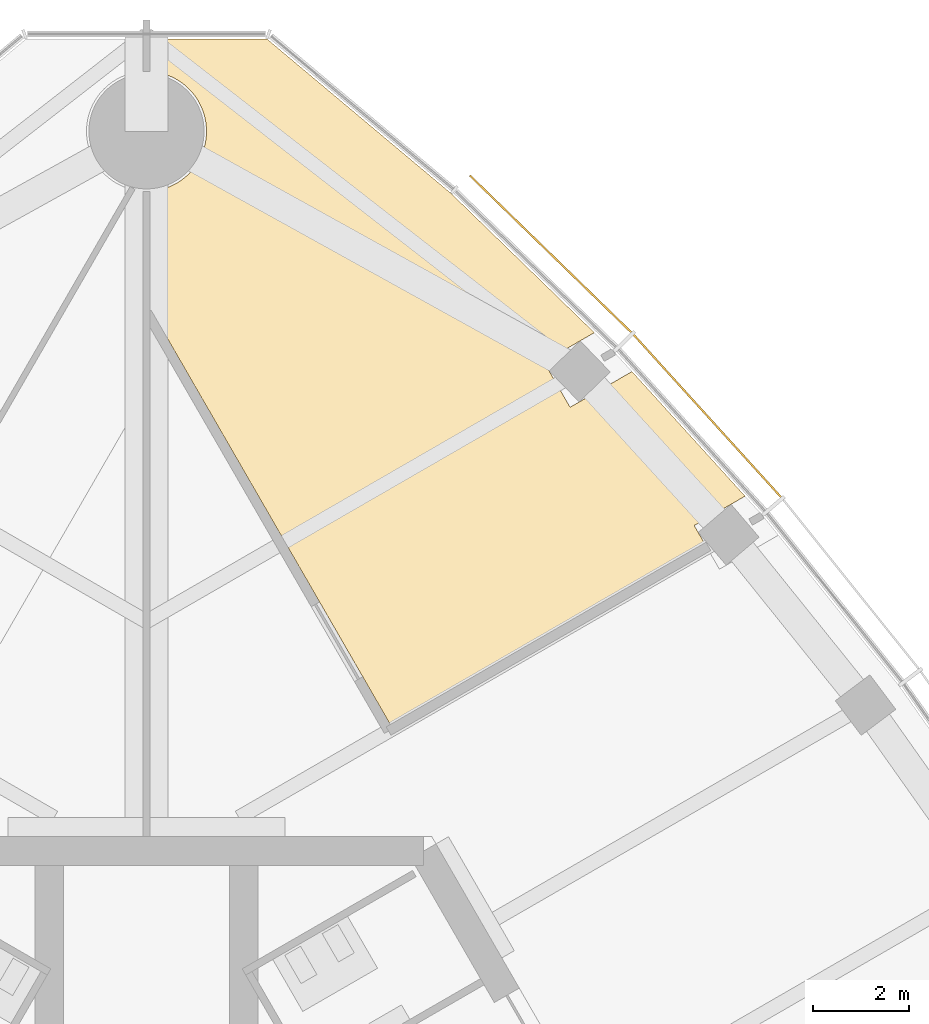
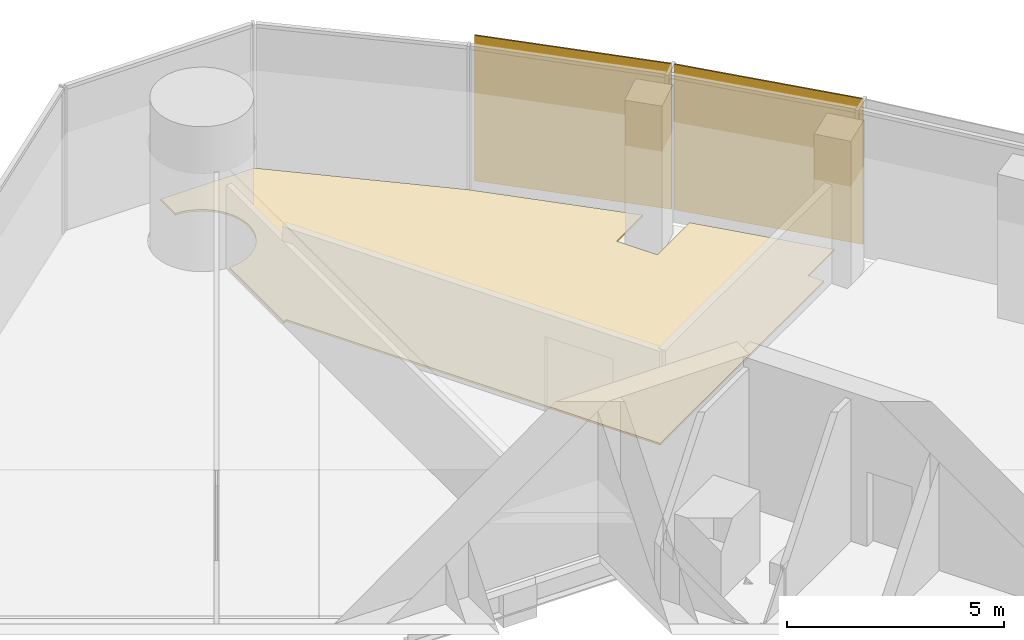
# One storey, part 14 of 16: 2 shading devices, 1 covering.
"""IFC4 building model written with IfcOpenShell, lengths in metres."""

from ifc_helpers import new_model, si_unit, direction, frame, origin, origin_2d, place, context, subcontext, project, spatial, polyline, rectangle, outline, extrude, material, layer, layer_set, type_object, element, save


model = new_model("IFC4")

# Units and contexts
model_context = context("Model", 3, precision=1e-05, world=origin(), true_north=direction((0.0, 1.0)))
body_context = subcontext(model_context, "Body", "Model", "MODEL_VIEW")
ifc_project = project(units=[si_unit("LENGTHUNIT", "METRE"), si_unit("AREAUNIT", "SQUARE_METRE"), si_unit("VOLUMEUNIT", "CUBIC_METRE"), si_unit("PLANEANGLEUNIT", "RADIAN"), si_unit("MASSUNIT", "GRAM", prefix="KILO")], contexts=[model_context])

# Site, building, storey
site_placement = place(None, origin())
site = spatial("IfcSite", under=ifc_project, at=site_placement, CompositionType="ELEMENT")
building_placement = place(site_placement, origin())
building = spatial("IfcBuilding", under=site, at=building_placement, Name="Trefoil Bronze Tower", CompositionType="ELEMENT")
storey_placement = place(building_placement, frame((0.0, 0.0, 309.89990234375)))
storey = spatial("IfcBuildingStorey", under=building, at=storey_placement, Name="L71", CompositionType="ELEMENT", Elevation=309.89990234375)

# Shading devices
ifc_material_1 = material(Name="Perforated bronze sheet", Category="bronze")
ifc_layer_1 = layer(ifc_material_1, 0.0400390625)
ifc_layer_set_1 = layer_set([ifc_layer_1], Name="Bronze solar screen panel")
shading_device_type = type_object("IfcShadingDeviceType", Name="Bronze solar screen panel", PredefinedType="SHUTTER", material=ifc_layer_set_1)
shading_device_1_placement = place(storey_placement, frame((11.688720703125, 25.067138671875, 0.050048828125), z_axis=(0.0, 0.0, 1.0), x_axis=(-0.672115274615, 0.74044652584, 0.0)))
element("IfcShadingDevice", 1, at=shading_device_1_placement, inside=storey, type_object=shading_device_type, Name="Solar screen CW-A L71 F2 bay 9", PredefinedType="SHUTTER", context=body_context, shape_type="SweptSolid", body=[
    extrude(rectangle(XDim=4.574462890625, YDim=0.0400390625, at=origin_2d()), origin(), (0.0, 0.0, 1.0), 4.10009765625),
])
shading_device_2_placement = place(storey_placement, frame((8.42236328125, 28.443359375, 0.050048828125), z_axis=(0.0, 0.0, 1.0), x_axis=(-0.71721818561, 0.696848673839, 0.0)))
element("IfcShadingDevice", 2, at=shading_device_2_placement, inside=storey, type_object=shading_device_type, Name="Solar screen CW-A L71 F2 bay 10", PredefinedType="SHUTTER", context=body_context, shape_type="SweptSolid", body=[
    extrude(rectangle(XDim=4.697509765625, YDim=0.0400390625, at=origin_2d()), origin(), (0.0, 0.0, 1.0), 4.10009765625),
])

# Covering
ifc_material_2 = material(Name="Raised access floor panels", Category="steel")
ifc_layer_2 = layer(ifc_material_2, 0.050048828125)
ifc_layer_set_2 = layer_set([ifc_layer_2], Name="Raised access floor 150")
covering_type = type_object("IfcCoveringType", Name="Raised access floor 150", PredefinedType="FLOORING", material=ifc_layer_set_2)
covering_placement = place(storey_placement, frame((0.0, 0.0, 0.10009765625)))
element("IfcCovering", 3, at=covering_placement, inside=storey, type_object=covering_type, Name="Raised floor L71 Boardroom F2", PredefinedType="FLOORING", context=body_context, shape_type="SweptSolid", body=[
    extrude(outline(polyline([(2.508056640625, 32.927490234375), (6.350830078125, 29.703125), (9.333740234375, 26.804931640625), (8.2802734375, 26.19677734375), (8.8271484375, 25.24951171875), (10.11767578125, 25.994384765625), (12.474853515625, 23.397705078125), (11.4140625, 22.784912109375), (11.626708984375, 22.41650390625), (5.081787109375, 18.637939453125), (0.0966796875, 27.272216796875), (0.01025390625, 27.222412109375), (0.01123046875, 29.750244140625), (0.061279296875, 29.75146484375), (0.12255859375, 29.756103515625), (0.183349609375, 29.763427734375), (0.243896484375, 29.77392578125), (0.3037109375, 29.78759765625), (0.36279296875, 29.8037109375), (0.421142578125, 29.822998046875), (0.478515625, 29.84521484375), (0.534423828125, 29.8701171875), (0.589111328125, 29.897705078125), (0.642578125, 29.927734375), (0.694580078125, 29.960693359375), (0.74462890625, 29.99609375), (0.79296875, 30.03369140625), (0.83935546875, 30.07373046875), (0.8837890625, 30.1162109375), (0.92626953125, 30.16064453125), (0.96630859375, 30.20703125), (1.00390625, 30.25537109375), (1.039306640625, 30.305419921875), (1.072265625, 30.357421875), (1.102294921875, 30.410888671875), (1.1298828125, 30.465576171875), (1.15478515625, 30.521484375), (1.177001953125, 30.578857421875), (1.1962890625, 30.63720703125), (1.21240234375, 30.6962890625), (1.22607421875, 30.756103515625), (1.236572265625, 30.816650390625), (1.243896484375, 30.87744140625), (1.24853515625, 30.938720703125), (1.25, 31.0), (1.24853515625, 31.061279296875), (1.243896484375, 31.12255859375), (1.236572265625, 31.183349609375), (1.22607421875, 31.243896484375), (1.21240234375, 31.3037109375), (1.1962890625, 31.36279296875), (1.177001953125, 31.421142578125), (1.15478515625, 31.478515625), (1.1298828125, 31.534423828125), (1.102294921875, 31.589111328125), (1.072265625, 31.642578125), (1.039306640625, 31.694580078125), (1.00390625, 31.74462890625), (0.96630859375, 31.79296875), (0.92626953125, 31.83935546875), (0.8837890625, 31.8837890625), (0.83935546875, 31.92626953125), (0.79296875, 31.96630859375), (0.74462890625, 32.00390625), (0.694580078125, 32.039306640625), (0.642578125, 32.072265625), (0.589111328125, 32.102294921875), (0.534423828125, 32.1298828125), (0.478515625, 32.15478515625), (0.421142578125, 32.177001953125), (0.36279296875, 32.1962890625), (0.3037109375, 32.21240234375), (0.243896484375, 32.22607421875), (0.183349609375, 32.236572265625), (0.12255859375, 32.243896484375), (0.061279296875, 32.24853515625), (0.01220703125, 32.249755859375), (0.01220703125, 32.927490234375), (2.508056640625, 32.927490234375)])), origin(), (0.0, 0.0, 1.0), 0.050048828125),
])

save(model, "model.ifc")
